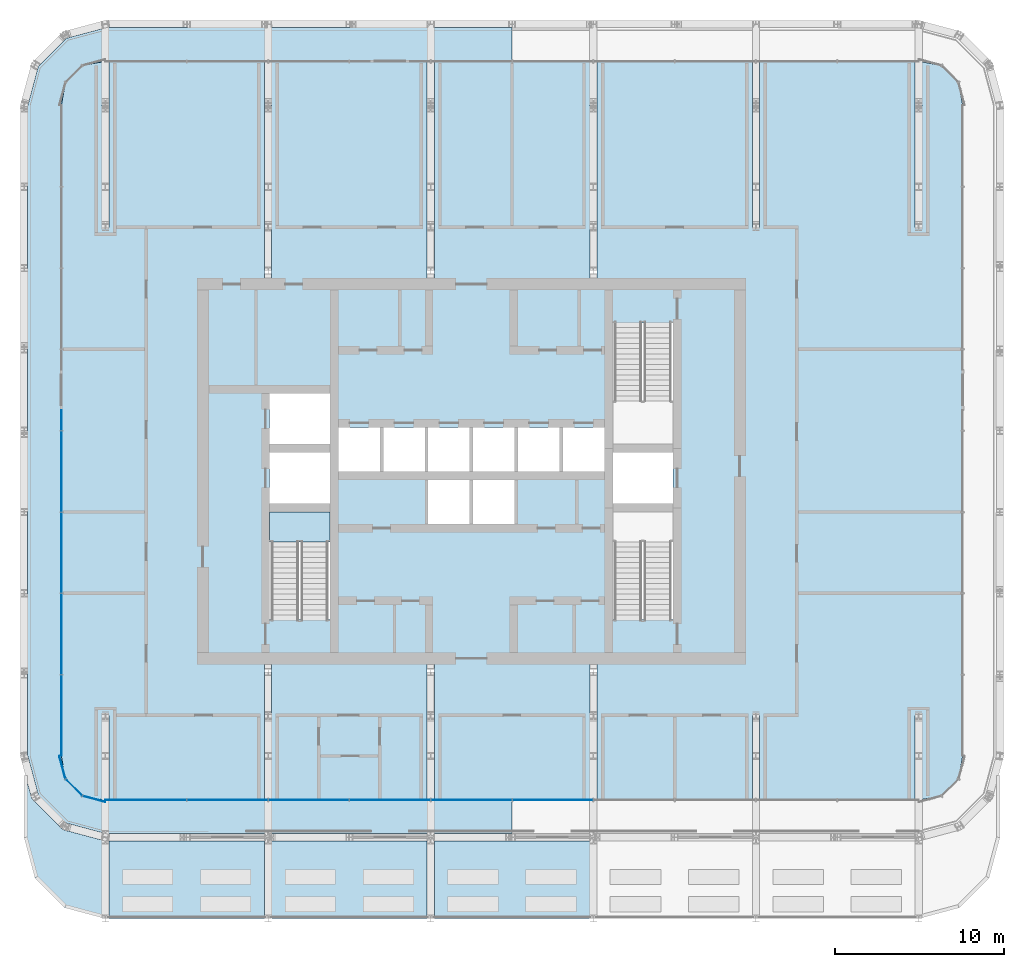
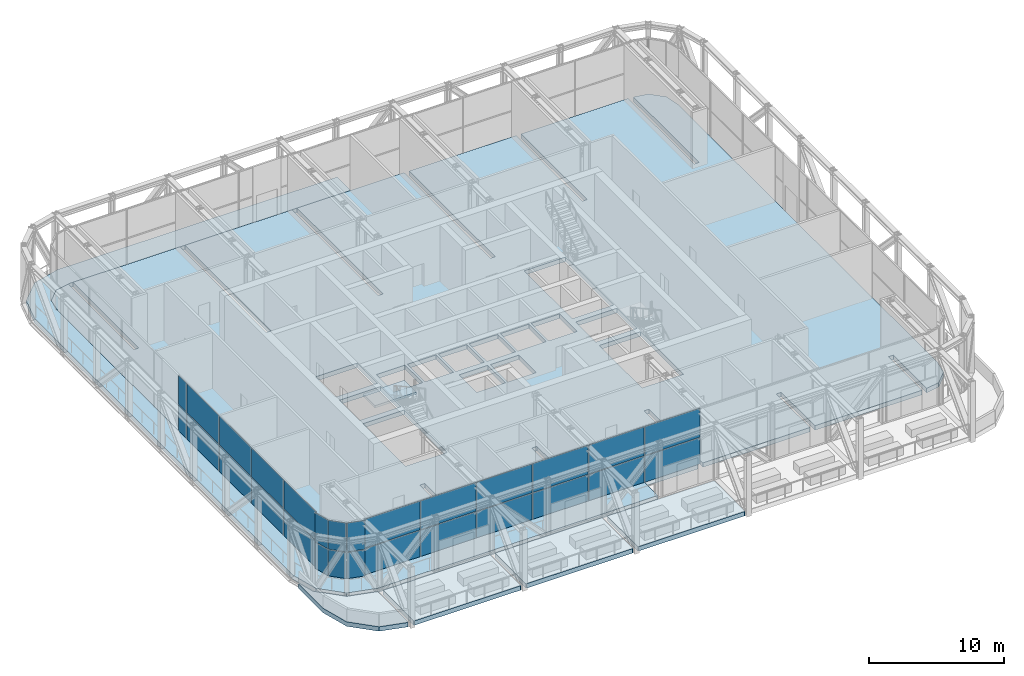
# One storey, part 11 of 22: 28 plates, 7 slabs, 4 elements without a shape of their own.
"""IFC4 building model written with IfcOpenShell, lengths in metres."""

from ifc_helpers import new_model, si_unit, direction, frame, origin, origin_2d, place, context, subcontext, project, spatial, polyline, rectangle, outline, extrude, material, layer, layer_set, type_object, element, aggregate, save


model = new_model("IFC4")

# Units and contexts
model_context = context("Model", 3, precision=1e-05, world=origin(), true_north=direction((0.0, 1.0)))
body_context = subcontext(model_context, "Body", "Model", "MODEL_VIEW")
ifc_project = project(units=[si_unit("LENGTHUNIT", "METRE"), si_unit("AREAUNIT", "SQUARE_METRE"), si_unit("VOLUMEUNIT", "CUBIC_METRE"), si_unit("PLANEANGLEUNIT", "RADIAN"), si_unit("MASSUNIT", "GRAM", prefix="KILO")], contexts=[model_context])

# Site, building, storey
site_placement = place(None, origin())
site = spatial("IfcSite", under=ifc_project, at=site_placement, CompositionType="ELEMENT")
building_placement = place(site_placement, origin())
building = spatial("IfcBuilding", under=site, at=building_placement, Name="Madar Terraces", CompositionType="ELEMENT")
storey_placement = place(building_placement, frame((0.0, 0.0, 203.39990234375)))
storey = spatial("IfcBuildingStorey", under=building, at=storey_placement, Name="L53", CompositionType="ELEMENT", Elevation=203.39990234375)

# Slab
ifc_material_1 = material(Name="Concrete C50/60", Category="concrete")
ifc_layer_1 = layer(ifc_material_1, 0.39990234375)
ifc_layer_set_1 = layer_set([ifc_layer_1], Name="FS6 PT flat slab 400")
slab_type_1 = type_object("IfcSlabType", Name="FS6 PT flat slab 400", PredefinedType="FLOOR", material=ifc_layer_set_1)
slab_1_placement = place(storey_placement, frame((0.0, 0.0, -0.39990234375)))
element("IfcSlab", 1, at=slab_1_placement, inside=storey, type_object=slab_type_1, Name="Floor slab L53 (1)", PredefinedType="FLOOR", context=body_context, shape_type="SweptSolid", body=[
    extrude(outline(polyline([(48.2109375, 12.0), (48.2109375, 7.0), (57.38916015625, 7.0), (57.38916015625, 12.0), (57.810791015625, 12.0), (57.810791015625, 7.037841796875), (58.9599609375, 7.244384765625), (59.95556640625, 8.239990234375), (60.199951171875, 9.60009765625), (60.199951171875, 48.0), (59.95556640625, 49.360107421875), (58.9599609375, 50.35546875), (57.810791015625, 50.56201171875), (57.810791015625, 40.800048828125), (57.38916015625, 40.800048828125), (57.38916015625, 50.60009765625), (48.2109375, 50.60009765625), (48.2109375, 40.800048828125), (47.7890625, 40.800048828125), (47.7890625, 50.60009765625), (38.61083984375, 50.60009765625), (38.61083984375, 37.800048828125), (38.189208984375, 37.800048828125), (38.189208984375, 50.60009765625), (29.0107421875, 50.60009765625), (29.0107421875, 37.800048828125), (28.589111328125, 37.800048828125), (28.589111328125, 50.60009765625), (19.410888671875, 50.60009765625), (19.410888671875, 37.800048828125), (18.9892578125, 37.800048828125), (18.9892578125, 50.60009765625), (9.810791015625, 50.60009765625), (9.810791015625, 40.800048828125), (9.38916015625, 40.800048828125), (9.38916015625, 50.56201171875), (8.239990234375, 50.35546875), (7.244384765625, 49.360107421875), (7.0, 48.0), (7.0, 9.60009765625), (7.244384765625, 8.239990234375), (8.239990234375, 7.244384765625), (9.38916015625, 7.037841796875), (9.38916015625, 12.0), (9.810791015625, 12.0), (9.810791015625, 7.0), (18.9892578125, 7.0), (18.9892578125, 15.0), (19.410888671875, 15.0), (19.410888671875, 7.0), (28.589111328125, 7.0), (28.589111328125, 15.0), (29.0107421875, 15.0), (29.0107421875, 7.0), (38.189208984375, 7.0), (38.189208984375, 15.0), (38.61083984375, 15.0), (38.61083984375, 7.0), (47.7890625, 7.0), (47.7890625, 12.0), (48.2109375, 12.0)]), holes=[polyline([(22.85009765625, 24.0), (22.85009765625, 17.64990234375), (19.300048828125, 17.64990234375), (19.300048828125, 24.0), (22.85009765625, 24.0)]), polyline([(31.10009765625, 23.300048828125), (28.64990234375, 23.300048828125), (28.64990234375, 25.89990234375), (31.10009765625, 25.89990234375), (31.10009765625, 23.300048828125)]), polyline([(22.85009765625, 24.5), (19.300048828125, 24.5), (19.300048828125, 27.5), (22.85009765625, 27.5), (22.85009765625, 24.5)]), polyline([(25.800048828125, 26.39990234375), (23.35009765625, 26.39990234375), (23.35009765625, 29.0), (25.800048828125, 29.0), (25.800048828125, 26.39990234375)]), polyline([(28.449951171875, 26.39990234375), (26.0, 26.39990234375), (26.0, 29.0), (28.449951171875, 29.0), (28.449951171875, 26.39990234375)]), polyline([(31.10009765625, 26.39990234375), (28.64990234375, 26.39990234375), (28.64990234375, 29.0), (31.10009765625, 29.0), (31.10009765625, 26.39990234375)]), polyline([(22.85009765625, 28.0), (19.300048828125, 28.0), (19.300048828125, 31.0), (22.85009765625, 31.0), (22.85009765625, 28.0)]), polyline([(43.10009765625, 24.0), (43.10009765625, 17.64990234375), (39.550048828125, 17.64990234375), (39.550048828125, 24.0), (43.10009765625, 24.0)]), polyline([(33.75, 23.300048828125), (31.300048828125, 23.300048828125), (31.300048828125, 25.89990234375), (33.75, 25.89990234375), (33.75, 23.300048828125)]), polyline([(43.10009765625, 24.5), (39.550048828125, 24.5), (39.550048828125, 27.5), (43.10009765625, 27.5), (43.10009765625, 24.5)]), polyline([(33.75, 26.39990234375), (31.300048828125, 26.39990234375), (31.300048828125, 29.0), (33.75, 29.0), (33.75, 26.39990234375)]), polyline([(36.39990234375, 26.39990234375), (33.949951171875, 26.39990234375), (33.949951171875, 29.0), (36.39990234375, 29.0), (36.39990234375, 26.39990234375)]), polyline([(39.050048828125, 26.39990234375), (36.60009765625, 26.39990234375), (36.60009765625, 29.0), (39.050048828125, 29.0), (39.050048828125, 26.39990234375)]), polyline([(43.10009765625, 28.0), (39.550048828125, 28.0), (39.550048828125, 35.14990234375), (43.10009765625, 35.14990234375), (43.10009765625, 28.0)])]), origin(), (0.0, 0.0, 1.0), 0.39990234375),
])

# Curtain wall, plates
ifc_material_2 = material(Name="Glass, ceramic frit dark grey, with black aluminium frame", Category="aluminium")
ifc_layer_2 = layer(ifc_material_2, 0.199951171875)
ifc_layer_set_2 = layer_set([ifc_layer_2], Name="Facade curtain wall, tall glazing")
curtain_wall_type = type_object("IfcCurtainWallType", Name="Facade curtain wall, tall glazing", PredefinedType="NOTDEFINED", material=ifc_layer_set_2)
curtain_wall_1_placement = place(storey_placement, origin())
curtain_wall_1 = element("IfcCurtainWall", 2, at=curtain_wall_1_placement, inside=storey, type_object=curtain_wall_type, Name="Outer skin curtain wall south bay 1", PredefinedType="NOTDEFINED")
ifc_material_3 = material(Name="Glass, ceramic frit dark grey", Category="glass")
ifc_layer_3 = layer(ifc_material_3, 0.028076171875)
ifc_layer_set_3 = layer_set([ifc_layer_3], Name="Facade glass panel 28")
plate_type = type_object("IfcPlateType", Name="Facade glass panel 28", PredefinedType="CURTAIN_PANEL", material=ifc_layer_set_3)
plate_1_placement = place(storey_placement, frame((11.985107421875, 7.0, 0.0), z_axis=(0.0, 0.0, 1.0), x_axis=(1.0, 0.0, 0.0)))
plate_1 = element("IfcPlate", 3, at=plate_1_placement, type_object=plate_type, Name="Panel 1", PredefinedType="CURTAIN_PANEL", context=body_context, shape_type="SweptSolid", body=[
    extrude(rectangle(XDim=4.77001953125, YDim=0.028076171875, at=origin_2d()), origin(), (0.0, 0.0, 1.0), 2.3701171875),
])
plate_2_placement = place(storey_placement, frame((11.985107421875, 7.0, 2.43017578125), z_axis=(0.0, 0.0, 1.0), x_axis=(1.0, 0.0, 0.0)))
plate_2 = element("IfcPlate", 4, at=plate_2_placement, type_object=plate_type, Name="Panel 2", PredefinedType="CURTAIN_PANEL", context=body_context, shape_type="SweptSolid", body=[
    extrude(rectangle(XDim=4.77001953125, YDim=0.028076171875, at=origin_2d()), origin(), (0.0, 0.0, 1.0), 2.610107421875),
])
plate_3_placement = place(storey_placement, frame((16.800048828125, 7.0, 0.0), z_axis=(0.0, 0.0, 1.0), x_axis=(1.0, 0.0, 0.0)))
plate_3 = element("IfcPlate", 5, at=plate_3_placement, type_object=plate_type, Name="Panel 3", PredefinedType="CURTAIN_PANEL", context=body_context, shape_type="SweptSolid", body=[
    extrude(rectangle(XDim=4.739990234375, YDim=0.028076171875, at=origin_2d()), origin(), (0.0, 0.0, 1.0), 2.3701171875),
])
plate_4_placement = place(storey_placement, frame((16.800048828125, 7.0, 2.43017578125), z_axis=(0.0, 0.0, 1.0), x_axis=(1.0, 0.0, 0.0)))
plate_4 = element("IfcPlate", 6, at=plate_4_placement, type_object=plate_type, Name="Panel 4", PredefinedType="CURTAIN_PANEL", context=body_context, shape_type="SweptSolid", body=[
    extrude(rectangle(XDim=4.739990234375, YDim=0.028076171875, at=origin_2d()), origin(), (0.0, 0.0, 1.0), 2.610107421875),
])
plate_5_placement = place(storey_placement, frame((21.60009765625, 7.0, 0.0), z_axis=(0.0, 0.0, 1.0), x_axis=(1.0, 0.0, 0.0)))
plate_5 = element("IfcPlate", 7, at=plate_5_placement, type_object=plate_type, Name="Panel 5", PredefinedType="CURTAIN_PANEL", context=body_context, shape_type="SweptSolid", body=[
    extrude(rectangle(XDim=4.739990234375, YDim=0.028076171875, at=origin_2d()), origin(), (0.0, 0.0, 1.0), 2.3701171875),
])
plate_6_placement = place(storey_placement, frame((21.60009765625, 7.0, 2.43017578125), z_axis=(0.0, 0.0, 1.0), x_axis=(1.0, 0.0, 0.0)))
plate_6 = element("IfcPlate", 8, at=plate_6_placement, type_object=plate_type, Name="Panel 6", PredefinedType="CURTAIN_PANEL", context=body_context, shape_type="SweptSolid", body=[
    extrude(rectangle(XDim=4.739990234375, YDim=0.028076171875, at=origin_2d()), origin(), (0.0, 0.0, 1.0), 2.610107421875),
])
plate_7_placement = place(storey_placement, frame((26.39990234375, 7.0, 0.0), z_axis=(0.0, 0.0, 1.0), x_axis=(1.0, 0.0, 0.0)))
plate_7 = element("IfcPlate", 9, at=plate_7_placement, type_object=plate_type, Name="Panel 7", PredefinedType="CURTAIN_PANEL", context=body_context, shape_type="SweptSolid", body=[
    extrude(rectangle(XDim=4.739990234375, YDim=0.028076171875, at=origin_2d()), origin(), (0.0, 0.0, 1.0), 2.3701171875),
])
plate_8_placement = place(storey_placement, frame((26.39990234375, 7.0, 2.43017578125), z_axis=(0.0, 0.0, 1.0), x_axis=(1.0, 0.0, 0.0)))
plate_8 = element("IfcPlate", 10, at=plate_8_placement, type_object=plate_type, Name="Panel 8", PredefinedType="CURTAIN_PANEL", context=body_context, shape_type="SweptSolid", body=[
    extrude(rectangle(XDim=4.739990234375, YDim=0.028076171875, at=origin_2d()), origin(), (0.0, 0.0, 1.0), 2.610107421875),
])
plate_9_placement = place(storey_placement, frame((31.199951171875, 7.0, 0.0), z_axis=(0.0, 0.0, 1.0), x_axis=(1.0, 0.0, 0.0)))
plate_9 = element("IfcPlate", 11, at=plate_9_placement, type_object=plate_type, Name="Panel 9", PredefinedType="CURTAIN_PANEL", context=body_context, shape_type="SweptSolid", body=[
    extrude(rectangle(XDim=4.739990234375, YDim=0.028076171875, at=origin_2d()), origin(), (0.0, 0.0, 1.0), 2.3701171875),
])
plate_10_placement = place(storey_placement, frame((31.199951171875, 7.0, 2.43017578125), z_axis=(0.0, 0.0, 1.0), x_axis=(1.0, 0.0, 0.0)))
plate_10 = element("IfcPlate", 12, at=plate_10_placement, type_object=plate_type, Name="Panel 10", PredefinedType="CURTAIN_PANEL", context=body_context, shape_type="SweptSolid", body=[
    extrude(rectangle(XDim=4.739990234375, YDim=0.028076171875, at=origin_2d()), origin(), (0.0, 0.0, 1.0), 2.610107421875),
])
plate_11_placement = place(storey_placement, frame((36.0, 7.0, 0.0), z_axis=(0.0, 0.0, 1.0), x_axis=(1.0, 0.0, 0.0)))
plate_11 = element("IfcPlate", 13, at=plate_11_placement, type_object=plate_type, Name="Panel 11", PredefinedType="CURTAIN_PANEL", context=body_context, shape_type="SweptSolid", body=[
    extrude(rectangle(XDim=4.739990234375, YDim=0.028076171875, at=origin_2d()), origin(), (0.0, 0.0, 1.0), 2.3701171875),
])
plate_12_placement = place(storey_placement, frame((36.0, 7.0, 2.43017578125), z_axis=(0.0, 0.0, 1.0), x_axis=(1.0, 0.0, 0.0)))
plate_12 = element("IfcPlate", 14, at=plate_12_placement, type_object=plate_type, Name="Panel 12", PredefinedType="CURTAIN_PANEL", context=body_context, shape_type="SweptSolid", body=[
    extrude(rectangle(XDim=4.739990234375, YDim=0.028076171875, at=origin_2d()), origin(), (0.0, 0.0, 1.0), 2.610107421875),
])
aggregate(curtain_wall_1, [plate_1, plate_2, plate_3, plate_4, plate_5, plate_6, plate_7, plate_8, plate_9, plate_10, plate_11, plate_12])

curtain_wall_2_placement = place(storey_placement, origin())
curtain_wall_2 = element("IfcCurtainWall", 15, at=curtain_wall_2_placement, inside=storey, type_object=curtain_wall_type, Name="Outer skin curtain wall west bay 1", PredefinedType="NOTDEFINED")
plate_13_placement = place(storey_placement, frame((7.0, 29.4150390625, 0.0), z_axis=(0.0, 0.0, 1.0), x_axis=(0.0, -1.0, 0.0)))
plate_13 = element("IfcPlate", 16, at=plate_13_placement, type_object=plate_type, Name="Panel 9", PredefinedType="CURTAIN_PANEL", context=body_context, shape_type="SweptSolid", body=[
    extrude(rectangle(XDim=1.169921875, YDim=0.028076171875, at=origin_2d()), origin(), (0.0, 0.0, 1.0), 2.3701171875),
])
plate_14_placement = place(storey_placement, frame((7.0, 29.4150390625, 2.43017578125), z_axis=(0.0, 0.0, 1.0), x_axis=(0.0, -1.0, 0.0)))
plate_14 = element("IfcPlate", 17, at=plate_14_placement, type_object=plate_type, Name="Panel 10", PredefinedType="CURTAIN_PANEL", context=body_context, shape_type="SweptSolid", body=[
    extrude(rectangle(XDim=1.169921875, YDim=0.028076171875, at=origin_2d()), origin(), (0.0, 0.0, 1.0), 2.610107421875),
])
plate_15_placement = place(storey_placement, frame((7.0, 26.39990234375, 0.0), z_axis=(0.0, 0.0, 1.0), x_axis=(0.0, -1.0, 0.0)))
plate_15 = element("IfcPlate", 18, at=plate_15_placement, type_object=plate_type, Name="Panel 11", PredefinedType="CURTAIN_PANEL", context=body_context, shape_type="SweptSolid", body=[
    extrude(rectangle(XDim=4.739990234375, YDim=0.028076171875, at=origin_2d()), origin(), (0.0, 0.0, 1.0), 2.3701171875),
])
plate_16_placement = place(storey_placement, frame((7.0, 26.39990234375, 2.43017578125), z_axis=(0.0, 0.0, 1.0), x_axis=(0.0, -1.0, 0.0)))
plate_16 = element("IfcPlate", 19, at=plate_16_placement, type_object=plate_type, Name="Panel 12", PredefinedType="CURTAIN_PANEL", context=body_context, shape_type="SweptSolid", body=[
    extrude(rectangle(XDim=4.739990234375, YDim=0.028076171875, at=origin_2d()), origin(), (0.0, 0.0, 1.0), 2.610107421875),
])
plate_17_placement = place(storey_placement, frame((7.0, 21.60009765625, 0.0), z_axis=(0.0, 0.0, 1.0), x_axis=(0.0, -1.0, 0.0)))
plate_17 = element("IfcPlate", 20, at=plate_17_placement, type_object=plate_type, Name="Panel 13", PredefinedType="CURTAIN_PANEL", context=body_context, shape_type="SweptSolid", body=[
    extrude(rectangle(XDim=4.739990234375, YDim=0.028076171875, at=origin_2d()), origin(), (0.0, 0.0, 1.0), 2.3701171875),
])
plate_18_placement = place(storey_placement, frame((7.0, 21.60009765625, 2.43017578125), z_axis=(0.0, 0.0, 1.0), x_axis=(0.0, -1.0, 0.0)))
plate_18 = element("IfcPlate", 21, at=plate_18_placement, type_object=plate_type, Name="Panel 14", PredefinedType="CURTAIN_PANEL", context=body_context, shape_type="SweptSolid", body=[
    extrude(rectangle(XDim=4.739990234375, YDim=0.028076171875, at=origin_2d()), origin(), (0.0, 0.0, 1.0), 2.610107421875),
])
plate_19_placement = place(storey_placement, frame((7.0, 16.800048828125, 0.0), z_axis=(0.0, 0.0, 1.0), x_axis=(0.0, -1.0, 0.0)))
plate_19 = element("IfcPlate", 22, at=plate_19_placement, type_object=plate_type, Name="Panel 15", PredefinedType="CURTAIN_PANEL", context=body_context, shape_type="SweptSolid", body=[
    extrude(rectangle(XDim=4.739990234375, YDim=0.028076171875, at=origin_2d()), origin(), (0.0, 0.0, 1.0), 2.3701171875),
])
plate_20_placement = place(storey_placement, frame((7.0, 16.800048828125, 2.43017578125), z_axis=(0.0, 0.0, 1.0), x_axis=(0.0, -1.0, 0.0)))
plate_20 = element("IfcPlate", 23, at=plate_20_placement, type_object=plate_type, Name="Panel 16", PredefinedType="CURTAIN_PANEL", context=body_context, shape_type="SweptSolid", body=[
    extrude(rectangle(XDim=4.739990234375, YDim=0.028076171875, at=origin_2d()), origin(), (0.0, 0.0, 1.0), 2.610107421875),
])
plate_21_placement = place(storey_placement, frame((7.0, 11.985107421875, 0.0), z_axis=(0.0, 0.0, 1.0), x_axis=(0.0, -1.0, 0.0)))
plate_21 = element("IfcPlate", 24, at=plate_21_placement, type_object=plate_type, Name="Panel 17", PredefinedType="CURTAIN_PANEL", context=body_context, shape_type="SweptSolid", body=[
    extrude(rectangle(XDim=4.77001953125, YDim=0.028076171875, at=origin_2d()), origin(), (0.0, 0.0, 1.0), 2.3701171875),
])
plate_22_placement = place(storey_placement, frame((7.0, 11.985107421875, 2.43017578125), z_axis=(0.0, 0.0, 1.0), x_axis=(0.0, -1.0, 0.0)))
plate_22 = element("IfcPlate", 25, at=plate_22_placement, type_object=plate_type, Name="Panel 18", PredefinedType="CURTAIN_PANEL", context=body_context, shape_type="SweptSolid", body=[
    extrude(rectangle(XDim=4.77001953125, YDim=0.028076171875, at=origin_2d()), origin(), (0.0, 0.0, 1.0), 2.610107421875),
])
aggregate(curtain_wall_2, [plate_13, plate_14, plate_15, plate_16, plate_17, plate_18, plate_19, plate_20, plate_21, plate_22])

curtain_wall_3_placement = place(storey_placement, origin())
curtain_wall_3 = element("IfcCurtainWall", 26, at=curtain_wall_3_placement, inside=storey, type_object=curtain_wall_type, Name="Outer skin curtain wall south-west corner", PredefinedType="NOTDEFINED")
plate_23_placement = place(storey_placement, frame((7.058349609375, 8.9345703125, 0.0), z_axis=(0.0, 0.0, 1.0), x_axis=(0.258819110244, -0.965925808834, 0.0)))
plate_23 = element("IfcPlate", 27, at=plate_23_placement, type_object=plate_type, Name="Panel 1", PredefinedType="CURTAIN_PANEL", context=body_context, shape_type="SweptSolid", body=[
    extrude(rectangle(XDim=1.3779296875, YDim=0.028076171875, at=origin_2d()), origin(), (0.0, 0.0, 1.0), 2.3701171875),
])
plate_24_placement = place(storey_placement, frame((7.058349609375, 8.9345703125, 2.43017578125), z_axis=(0.0, 0.0, 1.0), x_axis=(0.258819110244, -0.965925808834, 0.0)))
plate_24 = element("IfcPlate", 28, at=plate_24_placement, type_object=plate_type, Name="Panel 2", PredefinedType="CURTAIN_PANEL", context=body_context, shape_type="SweptSolid", body=[
    extrude(rectangle(XDim=1.3779296875, YDim=0.028076171875, at=origin_2d()), origin(), (0.0, 0.0, 1.0), 2.610107421875),
])
plate_25_placement = place(storey_placement, frame((7.7421875, 7.7421875, 0.0), z_axis=(0.0, 0.0, 1.0), x_axis=(0.707106781187, -0.707106781187, 0.0)))
plate_25 = element("IfcPlate", 29, at=plate_25_placement, type_object=plate_type, Name="Panel 3", PredefinedType="CURTAIN_PANEL", context=body_context, shape_type="SweptSolid", body=[
    extrude(rectangle(XDim=1.347900390625, YDim=0.028076171875, at=origin_2d()), origin(), (0.0, 0.0, 1.0), 2.3701171875),
])
plate_26_placement = place(storey_placement, frame((7.7421875, 7.7421875, 2.43017578125), z_axis=(0.0, 0.0, 1.0), x_axis=(0.707106781187, -0.707106781187, 0.0)))
plate_26 = element("IfcPlate", 30, at=plate_26_placement, type_object=plate_type, Name="Panel 4", PredefinedType="CURTAIN_PANEL", context=body_context, shape_type="SweptSolid", body=[
    extrude(rectangle(XDim=1.347900390625, YDim=0.028076171875, at=origin_2d()), origin(), (0.0, 0.0, 1.0), 2.610107421875),
])
plate_27_placement = place(storey_placement, frame((8.9345703125, 7.058349609375, 0.0), z_axis=(0.0, 0.0, 1.0), x_axis=(0.965925808834, -0.258819110244, 0.0)))
plate_27 = element("IfcPlate", 31, at=plate_27_placement, type_object=plate_type, Name="Panel 5", PredefinedType="CURTAIN_PANEL", context=body_context, shape_type="SweptSolid", body=[
    extrude(rectangle(XDim=1.3779296875, YDim=0.028076171875, at=origin_2d()), origin(), (0.0, 0.0, 1.0), 2.3701171875),
])
plate_28_placement = place(storey_placement, frame((8.9345703125, 7.058349609375, 2.43017578125), z_axis=(0.0, 0.0, 1.0), x_axis=(0.965925808834, -0.258819110244, 0.0)))
plate_28 = element("IfcPlate", 32, at=plate_28_placement, type_object=plate_type, Name="Panel 6", PredefinedType="CURTAIN_PANEL", context=body_context, shape_type="SweptSolid", body=[
    extrude(rectangle(XDim=1.3779296875, YDim=0.028076171875, at=origin_2d()), origin(), (0.0, 0.0, 1.0), 2.610107421875),
])
aggregate(curtain_wall_3, [plate_23, plate_24, plate_25, plate_26, plate_27, plate_28])

# Stair, slab
ifc_material_4 = material(Name="Concrete C50/60", Category="concrete")
stair_type = type_object("IfcStairType", Name="Stair ST1 protected exit", PredefinedType="HALF_TURN_STAIR", material=ifc_material_4)
stair_placement = place(storey_placement, origin())
stair = element("IfcStair", 33, at=stair_placement, inside=storey, type_object=stair_type, Name="L53 Protected Exit Stair ST1", PredefinedType="HALF_TURN_STAIR")
ifc_material_5 = material(Name="Concrete C50/60", Category="concrete")
ifc_layer_4 = layer(ifc_material_5, 0.199951171875)
ifc_layer_set_4 = layer_set([ifc_layer_4], Name="Stair landing 200, top +2.70")
slab_type_2 = type_object("IfcSlabType", Name="Stair landing 200, top +2.70", PredefinedType="LANDING", material=ifc_layer_set_4)
slab_2_placement = place(storey_placement, frame((0.0, 0.0, 2.5)))
slab_2 = element("IfcSlab", 34, at=slab_2_placement, type_object=slab_type_2, Name="ST1 landing 1", PredefinedType="LANDING", context=body_context, shape_type="SweptSolid", body=[
    extrude(outline(polyline([(19.300048828125, 22.219970703125), (22.85009765625, 22.219970703125), (22.85009765625, 24.0), (19.300048828125, 24.0), (19.300048828125, 22.219970703125)])), origin(), (0.0, 0.0, 1.0), 0.2001953125),
])
aggregate(stair, [slab_2])

# Slabs
ifc_material_6 = material(Name="Concrete C50/60", Category="concrete")
ifc_layer_5 = layer(ifc_material_6, 0.39990234375)
ifc_layer_set_5 = layer_set([ifc_layer_5], Name="TS1 PT terrace slab 400")
slab_type_3 = type_object("IfcSlabType", Name="TS1 PT terrace slab 400", PredefinedType="FLOOR", material=ifc_layer_set_5)
slab_3_placement = place(storey_placement, frame((0.0, 0.0, -0.39990234375)))
element("IfcSlab", 35, at=slab_3_placement, inside=storey, type_object=slab_type_3, Name="Gallery slab L53 (1)", PredefinedType="FLOOR", context=body_context, shape_type="SweptSolid", body=[
    extrude(outline(polyline([(7.30908203125, 5.632080078125), (9.627685546875, 5.0107421875), (33.60009765625, 5.0107421875), (33.60009765625, 7.0), (9.60009765625, 7.0), (8.239990234375, 7.244384765625), (7.244384765625, 8.239990234375), (7.0, 9.60009765625), (7.0, 48.0), (7.244384765625, 49.360107421875), (8.239990234375, 50.35546875), (9.60009765625, 50.60009765625), (33.60009765625, 50.60009765625), (33.60009765625, 52.589111328125), (9.627685546875, 52.589111328125), (7.30908203125, 51.968017578125), (5.632080078125, 50.290771484375), (5.0107421875, 47.97216796875), (5.0107421875, 9.627685546875), (5.632080078125, 7.30908203125), (7.30908203125, 5.632080078125)])), origin(), (0.0, 0.0, 1.0), 0.39990234375),
])
slab_4_placement = place(storey_placement, frame((0.0, 0.0, -0.39990234375)))
element("IfcSlab", 36, at=slab_4_placement, inside=storey, type_object=slab_type_3, Name="Terrace roof slab L53 (1)", PredefinedType="FLOOR", context=body_context, shape_type="SweptSolid", body=[
    extrude(outline(polyline([(7.08984375, 5.2548828125), (5.2548828125, 7.08984375), (5.254150390625, 7.0908203125), (5.253662109375, 7.092041015625), (4.898193359375, 8.418701171875), (4.896728515625, 8.42333984375), (4.894775390625, 8.427978515625), (4.892333984375, 8.43212890625), (4.8896484375, 8.436279296875), (4.88623046875, 8.43994140625), (4.8828125, 8.443359375), (4.87890625, 8.446533203125), (4.87451171875, 8.44921875), (4.8701171875, 8.451416015625), (4.865478515625, 8.453125), (4.86083984375, 8.45458984375), (4.85595703125, 8.455322265625), (4.850830078125, 8.45556640625), (4.845947265625, 8.45556640625), (4.841064453125, 8.454833984375), (4.836181640625, 8.45361328125), (4.83154296875, 8.4521484375), (4.826904296875, 8.449951171875), (4.82275390625, 8.447509765625), (4.818603515625, 8.444580078125), (4.81494140625, 8.44140625), (4.8115234375, 8.437744140625), (4.80859375, 8.433837890625), (4.80615234375, 8.429443359375), (4.803955078125, 8.425048828125), (4.80224609375, 8.42041015625), (4.801025390625, 8.41552734375), (4.80029296875, 8.41064453125), (4.800048828125, 8.40576171875), (4.800048828125, 4.806640625), (4.80029296875, 4.80224609375), (4.80078125, 4.7978515625), (4.8017578125, 4.793701171875), (5.439697265625, 2.412841796875), (5.441162109375, 2.407958984375), (5.443359375, 2.403076171875), (5.446044921875, 2.398681640625), (5.448974609375, 2.39453125), (5.45263671875, 2.390625), (7.1904296875, 0.652587890625), (7.1943359375, 0.649169921875), (7.19873046875, 0.64599609375), (7.203125, 0.643310546875), (7.2080078125, 0.64111328125), (7.212890625, 0.6396484375), (9.326171875, 0.0732421875), (9.3310546875, 0.072265625), (9.335693359375, 0.07177734375), (9.340576171875, 0.07177734375), (9.345458984375, 0.072021484375), (9.35009765625, 0.07275390625), (9.354736328125, 0.07421875), (9.359375, 0.075927734375), (9.363525390625, 0.078125), (9.36767578125, 0.08056640625), (9.37158203125, 0.08349609375), (9.375, 0.086669921875), (9.378173828125, 0.09033203125), (9.381103515625, 0.09423828125), (9.383544921875, 0.098388671875), (9.385498046875, 0.102783203125), (9.38720703125, 0.107421875), (9.38818359375, 0.112060546875), (9.388916015625, 0.116943359375), (9.38916015625, 0.12158203125), (9.38916015625, 4.599853515625), (9.388916015625, 4.60498046875), (9.38818359375, 4.60986328125), (9.386962890625, 4.61474609375), (9.38525390625, 4.619384765625), (9.383056640625, 4.6240234375), (9.38037109375, 4.628173828125), (9.377197265625, 4.63232421875), (9.373779296875, 4.635986328125), (9.3701171875, 4.63916015625), (9.365966796875, 4.64208984375), (9.361572265625, 4.64453125), (9.35693359375, 4.646728515625), (9.35205078125, 4.648193359375), (7.092041015625, 5.253662109375), (7.0908203125, 5.254150390625), (7.08984375, 5.2548828125)])), origin(), (0.0, 0.0, 1.0), 0.39990234375),
])
slab_5_placement = place(storey_placement, frame((0.0, 0.0, -0.39990234375)))
element("IfcSlab", 37, at=slab_5_placement, inside=storey, type_object=slab_type_3, Name="Terrace roof slab L53 (2)", PredefinedType="FLOOR", context=body_context, shape_type="SweptSolid", body=[
    extrude(outline(polyline([(9.85595703125, 0.000244140625), (9.86083984375, 0.0), (18.939208984375, 0.0), (18.944091796875, 0.000244140625), (18.948974609375, 0.0009765625), (18.95361328125, 0.002197265625), (18.958251953125, 0.00390625), (18.962646484375, 0.005859375), (18.967041015625, 0.008544921875), (18.970947265625, 0.01123046875), (18.974609375, 0.0146484375), (18.977783203125, 0.018310546875), (18.980712890625, 0.022216796875), (18.983154296875, 0.0263671875), (18.9853515625, 0.03076171875), (18.987060546875, 0.035400390625), (18.98828125, 0.040283203125), (18.989013671875, 0.045166015625), (18.9892578125, 0.050048828125), (18.9892578125, 4.5390625), (18.989013671875, 4.544189453125), (18.98828125, 4.548828125), (18.987060546875, 4.5537109375), (18.9853515625, 4.558349609375), (18.983154296875, 4.562744140625), (18.980712890625, 4.56689453125), (18.977783203125, 4.57080078125), (18.974609375, 4.574462890625), (18.970947265625, 4.577880859375), (18.967041015625, 4.580810546875), (18.962646484375, 4.583251953125), (18.958251953125, 4.58544921875), (18.95361328125, 4.5869140625), (18.948974609375, 4.588134765625), (18.944091796875, 4.5888671875), (18.939208984375, 4.589111328125), (9.86083984375, 4.589111328125), (9.85595703125, 4.5888671875), (9.85107421875, 4.588134765625), (9.84619140625, 4.5869140625), (9.841796875, 4.58544921875), (9.837158203125, 4.583251953125), (9.8330078125, 4.580810546875), (9.8291015625, 4.577880859375), (9.825439453125, 4.574462890625), (9.822265625, 4.57080078125), (9.8193359375, 4.56689453125), (9.816650390625, 4.562744140625), (9.814697265625, 4.558349609375), (9.81298828125, 4.5537109375), (9.811767578125, 4.548828125), (9.81103515625, 4.544189453125), (9.810791015625, 4.5390625), (9.810791015625, 0.050048828125), (9.81103515625, 0.045166015625), (9.811767578125, 0.040283203125), (9.81298828125, 0.035400390625), (9.814697265625, 0.03076171875), (9.816650390625, 0.0263671875), (9.8193359375, 0.022216796875), (9.822265625, 0.018310546875), (9.825439453125, 0.0146484375), (9.8291015625, 0.01123046875), (9.8330078125, 0.008544921875), (9.837158203125, 0.005859375), (9.841796875, 0.00390625), (9.84619140625, 0.002197265625), (9.85107421875, 0.0009765625), (9.85595703125, 0.000244140625)])), origin(), (0.0, 0.0, 1.0), 0.39990234375),
])
slab_6_placement = place(storey_placement, frame((0.0, 0.0, -0.39990234375)))
element("IfcSlab", 38, at=slab_6_placement, inside=storey, type_object=slab_type_3, Name="Terrace roof slab L53 (3)", PredefinedType="FLOOR", context=body_context, shape_type="SweptSolid", body=[
    extrude(outline(polyline([(19.451171875, 0.0009765625), (19.455810546875, 0.000244140625), (19.4609375, 0.0), (28.5390625, 0.0), (28.544189453125, 0.000244140625), (28.548828125, 0.0009765625), (28.5537109375, 0.002197265625), (28.558349609375, 0.00390625), (28.562744140625, 0.005859375), (28.56689453125, 0.008544921875), (28.57080078125, 0.01123046875), (28.574462890625, 0.0146484375), (28.577880859375, 0.018310546875), (28.580810546875, 0.022216796875), (28.583251953125, 0.0263671875), (28.58544921875, 0.03076171875), (28.5869140625, 0.035400390625), (28.588134765625, 0.040283203125), (28.5888671875, 0.045166015625), (28.589111328125, 0.050048828125), (28.589111328125, 4.5390625), (28.5888671875, 4.544189453125), (28.588134765625, 4.548828125), (28.5869140625, 4.5537109375), (28.58544921875, 4.558349609375), (28.583251953125, 4.562744140625), (28.580810546875, 4.56689453125), (28.577880859375, 4.57080078125), (28.574462890625, 4.574462890625), (28.57080078125, 4.577880859375), (28.56689453125, 4.580810546875), (28.562744140625, 4.583251953125), (28.558349609375, 4.58544921875), (28.5537109375, 4.5869140625), (28.548828125, 4.588134765625), (28.544189453125, 4.5888671875), (28.5390625, 4.589111328125), (19.4609375, 4.589111328125), (19.455810546875, 4.5888671875), (19.451171875, 4.588134765625), (19.4462890625, 4.5869140625), (19.441650390625, 4.58544921875), (19.437255859375, 4.583251953125), (19.43310546875, 4.580810546875), (19.42919921875, 4.577880859375), (19.425537109375, 4.574462890625), (19.422119140625, 4.57080078125), (19.419189453125, 4.56689453125), (19.416748046875, 4.562744140625), (19.41455078125, 4.558349609375), (19.4130859375, 4.5537109375), (19.411865234375, 4.548828125), (19.4111328125, 4.544189453125), (19.410888671875, 4.5390625), (19.410888671875, 0.050048828125), (19.4111328125, 0.045166015625), (19.411865234375, 0.040283203125), (19.4130859375, 0.035400390625), (19.41455078125, 0.03076171875), (19.416748046875, 0.0263671875), (19.419189453125, 0.022216796875), (19.422119140625, 0.018310546875), (19.425537109375, 0.0146484375), (19.42919921875, 0.01123046875), (19.43310546875, 0.008544921875), (19.437255859375, 0.005859375), (19.441650390625, 0.00390625), (19.4462890625, 0.002197265625), (19.451171875, 0.0009765625)])), origin(), (0.0, 0.0, 1.0), 0.39990234375),
])
slab_7_placement = place(storey_placement, frame((0.0, 0.0, -0.39990234375)))
element("IfcSlab", 39, at=slab_7_placement, inside=storey, type_object=slab_type_3, Name="Terrace roof slab L53 (4)", PredefinedType="FLOOR", context=body_context, shape_type="SweptSolid", body=[
    extrude(outline(polyline([(29.051025390625, 0.0009765625), (29.055908203125, 0.000244140625), (29.060791015625, 0.0), (38.13916015625, 0.0), (38.14404296875, 0.000244140625), (38.14892578125, 0.0009765625), (38.15380859375, 0.002197265625), (38.158203125, 0.00390625), (38.162841796875, 0.005859375), (38.1669921875, 0.008544921875), (38.1708984375, 0.01123046875), (38.174560546875, 0.0146484375), (38.177734375, 0.018310546875), (38.1806640625, 0.022216796875), (38.183349609375, 0.0263671875), (38.185302734375, 0.03076171875), (38.18701171875, 0.035400390625), (38.188232421875, 0.040283203125), (38.18896484375, 0.045166015625), (38.189208984375, 0.050048828125), (38.189208984375, 4.5390625), (38.18896484375, 4.544189453125), (38.188232421875, 4.548828125), (38.18701171875, 4.5537109375), (38.185302734375, 4.558349609375), (38.183349609375, 4.562744140625), (38.1806640625, 4.56689453125), (38.177734375, 4.57080078125), (38.174560546875, 4.574462890625), (38.1708984375, 4.577880859375), (38.1669921875, 4.580810546875), (38.162841796875, 4.583251953125), (38.158203125, 4.58544921875), (38.15380859375, 4.5869140625), (38.14892578125, 4.588134765625), (38.14404296875, 4.5888671875), (38.13916015625, 4.589111328125), (29.060791015625, 4.589111328125), (29.055908203125, 4.5888671875), (29.051025390625, 4.588134765625), (29.04638671875, 4.5869140625), (29.041748046875, 4.58544921875), (29.037353515625, 4.583251953125), (29.032958984375, 4.580810546875), (29.029052734375, 4.577880859375), (29.025390625, 4.574462890625), (29.022216796875, 4.57080078125), (29.019287109375, 4.56689453125), (29.016845703125, 4.562744140625), (29.0146484375, 4.558349609375), (29.012939453125, 4.5537109375), (29.01171875, 4.548828125), (29.010986328125, 4.544189453125), (29.0107421875, 4.5390625), (29.0107421875, 0.050048828125), (29.010986328125, 0.045166015625), (29.01171875, 0.040283203125), (29.012939453125, 0.035400390625), (29.0146484375, 0.03076171875), (29.016845703125, 0.0263671875), (29.019287109375, 0.022216796875), (29.022216796875, 0.018310546875), (29.025390625, 0.0146484375), (29.029052734375, 0.01123046875), (29.032958984375, 0.008544921875), (29.037353515625, 0.005859375), (29.041748046875, 0.00390625), (29.04638671875, 0.002197265625), (29.051025390625, 0.0009765625)])), origin(), (0.0, 0.0, 1.0), 0.39990234375),
])

save(model, "model.ifc")
